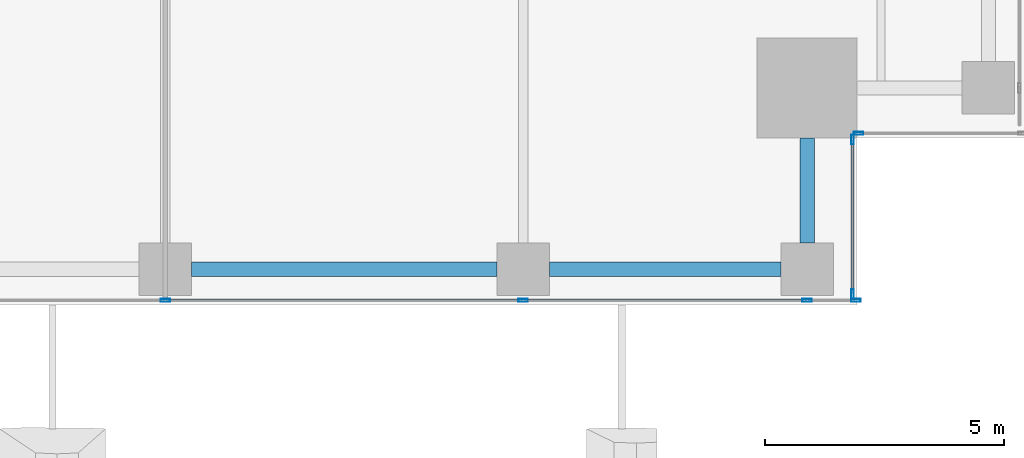
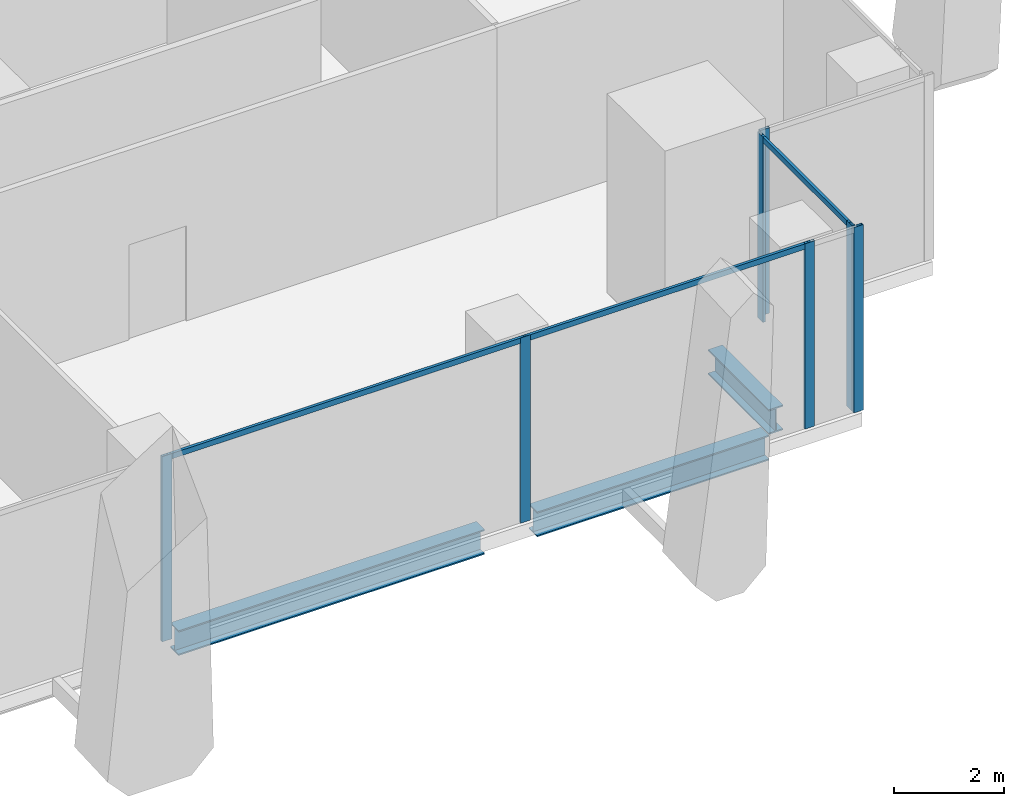
# One storey, part 9 of 35: 10 members, 3 beams, 3 elements without a shape of their own.
"""IFC4 building model written with IfcOpenShell, lengths in metres."""

from ifc_helpers import new_model, si_unit, direction, frame, origin, origin_2d, place, context, subcontext, project, spatial, hollow_rectangle, i_section, extrude, source, transform, mapped, material, material_profile, profile_set, type_object, element, aggregate, save


model = new_model("IFC4")

# Units and contexts
model_context = context("Model", 3, precision=1e-05, world=origin(), true_north=direction((0.0, 1.0)))
body_context = subcontext(model_context, "Body", "Model", "MODEL_VIEW")
ifc_project = project(units=[si_unit("LENGTHUNIT", "METRE"), si_unit("AREAUNIT", "SQUARE_METRE"), si_unit("VOLUMEUNIT", "CUBIC_METRE"), si_unit("PLANEANGLEUNIT", "RADIAN"), si_unit("MASSUNIT", "GRAM", prefix="KILO")], contexts=[model_context])

# Site, building, storey
site_placement = place(None, origin())
site = spatial("IfcSite", under=ifc_project, at=site_placement, CompositionType="ELEMENT")
building_placement = place(site_placement, origin())
building = spatial("IfcBuilding", under=site, at=building_placement, Name="Khomas Fold Tower", CompositionType="ELEMENT")
storey_placement = place(building_placement, frame((0.0, 0.0, 136.699951171875)))
storey = spatial("IfcBuildingStorey", under=building, at=storey_placement, Name="L29", CompositionType="ELEMENT", Elevation=136.699951171875)

# Beams
ifc_material_1 = material(Name="Steel S355", Category="steel")
ifc_material_profile_1 = material_profile(ifc_material_1, i_section(OverallWidth=0.300048828125, OverallDepth=0.550048828125, WebThickness=0.014892578125, FlangeThickness=0.029052734375, at=origin_2d()), Name="HE 550 B")
ifc_profile_set_1 = profile_set([ifc_material_profile_1], Name="Steel S355")
beam_type = type_object("IfcBeamType", Name="HE 550 B spandrel SB2", PredefinedType="SPANDREL", material=ifc_profile_set_1)
shared_shape_1 = source(origin(), body_context, "Body", "SweptSolid", [
    extrude(i_section(OverallWidth=0.300048828125, OverallDepth=0.550048828125, WebThickness=0.014892578125, FlangeThickness=0.029052734375, at=origin_2d()), origin(), (0.0, 0.0, 1.0), 4.849853515625),
])
beam_1_placement = place(storey_placement, frame((42.550048828125, 2.25, -0.574951171875), z_axis=(1.0, 0.0, 0.0), x_axis=(0.0, 1.0, 0.0)))
element("IfcBeam", 1, at=beam_1_placement, inside=storey, type_object=beam_type, Name="SB2", PredefinedType="SPANDREL", context=body_context, shape_type="MappedRepresentation", body=[
    mapped(shared_shape_1, transform((0.0, 0.0, 0.0))),
])
shared_shape_2 = source(origin(), body_context, "Body", "SweptSolid", [
    extrude(i_section(OverallWidth=0.300048828125, OverallDepth=0.550048828125, WebThickness=0.014892578125, FlangeThickness=0.029052734375, at=origin_2d()), origin(), (0.0, 0.0, 1.0), 6.39990234375),
])
beam_2_placement = place(storey_placement, frame((35.050048828125, 2.25, -0.574951171875), z_axis=(1.0, 0.0, 0.0), x_axis=(0.0, 1.0, 0.0)))
element("IfcBeam", 2, at=beam_2_placement, inside=storey, type_object=beam_type, Name="SB2", PredefinedType="SPANDREL", context=body_context, shape_type="MappedRepresentation", body=[
    mapped(shared_shape_2, transform((0.0, 0.0, 0.0))),
])
shared_shape_3 = source(origin(), body_context, "Body", "SweptSolid", [
    extrude(i_section(OverallWidth=0.300048828125, OverallDepth=0.550048828125, WebThickness=0.014892578125, FlangeThickness=0.029052734375, at=origin_2d()), origin(), (0.0, 0.0, 1.0), 2.199951171875),
])
beam_3_placement = place(storey_placement, frame((47.949951171875, 2.800048828125, -0.574951171875), z_axis=(0.0, 1.0, 0.0), x_axis=(-1.0, 0.0, 0.0)))
element("IfcBeam", 3, at=beam_3_placement, inside=storey, type_object=beam_type, Name="SB2", PredefinedType="SPANDREL", context=body_context, shape_type="MappedRepresentation", body=[
    mapped(shared_shape_3, transform((0.0, 0.0, 0.0))),
])

# Curtain wall, members
ifc_material_2 = material(Name="Aluminium framed double glazing", Category="aluminium")
curtain_wall_type = type_object("IfcCurtainWallType", Name="SK-Unitised clear-glass wall, growing floors CW1", PredefinedType="NOTDEFINED", material=ifc_material_2)
curtain_wall_1_placement = place(storey_placement, origin())
curtain_wall_1 = element("IfcCurtainWall", 4, at=curtain_wall_1_placement, inside=storey, type_object=curtain_wall_type, Name="CW1 run L29 00-0", PredefinedType="NOTDEFINED")
ifc_material_3 = material(Name="Aluminium", Category="aluminium")
ifc_material_profile_2 = material_profile(ifc_material_3, hollow_rectangle(XDim=0.06005859375, YDim=0.1201171875, WallThickness=0.00390625, at=origin_2d()), Name="SK-Unitised clear-glass wall, growing floors transom CW1-T")
ifc_profile_set_2 = profile_set([ifc_material_profile_2], Name="Aluminium")
member_type_1 = type_object("IfcMemberType", Name="SK-Unitised clear-glass wall, growing floors transom CW1-T", PredefinedType="USERDEFINED", material=ifc_profile_set_2)
shared_shape_4 = source(origin(), body_context, "Body", "SweptSolid", [
    extrude(hollow_rectangle(XDim=0.06005859375, YDim=0.1201171875, WallThickness=0.00390625, at=origin_2d()), origin(), (0.0, 0.0, 1.0), 7.43994140625),
])
member_1_placement = place(storey_placement, frame((34.530029296875, 1.60009765625, 4.0400390625), z_axis=(1.0, 0.0, 0.0), x_axis=(0.0, 1.0, 0.0)))
member_1 = element("IfcMember", 5, at=member_1_placement, type_object=member_type_1, Name="CW1 transom 6", ObjectType="TRANSOM", PredefinedType="USERDEFINED", context=body_context, shape_type="MappedRepresentation", body=[
    mapped(shared_shape_4, transform((0.0, 0.0, 0.0))),
])
ifc_material_4 = material(Name="Aluminium", Category="aluminium")
ifc_material_profile_3 = material_profile(ifc_material_4, hollow_rectangle(XDim=0.06005859375, YDim=0.199951171875, WallThickness=0.00390625, at=origin_2d()), Name="SK-Unitised clear-glass wall, growing floors mullion CW1-M")
ifc_profile_set_3 = profile_set([ifc_material_profile_3], Name="Aluminium")
member_type_2 = type_object("IfcMemberType", Name="SK-Unitised clear-glass wall, growing floors mullion CW1-M", PredefinedType="MULLION", material=ifc_profile_set_3)
shared_shape_5 = source(origin(), body_context, "Body", "SweptSolid", [
    extrude(hollow_rectangle(XDim=0.06005859375, YDim=0.199951171875, WallThickness=0.00390625, at=origin_2d()), origin(), (0.0, 0.0, 1.0), 4.10009765625),
])
member_2_placement = place(storey_placement, frame((34.5, 1.60009765625, 0.0), z_axis=(0.0, 0.0, 1.0), x_axis=(0.0, 1.0, 0.0)))
member_2 = element("IfcMember", 6, at=member_2_placement, type_object=member_type_2, Name="CW1 mullion 6", PredefinedType="MULLION", context=body_context, shape_type="MappedRepresentation", body=[
    mapped(shared_shape_5, transform((0.0, 0.0, 0.0))),
])
member_3_placement = place(storey_placement, frame((42.0, 1.60009765625, 0.0), z_axis=(0.0, 0.0, 1.0), x_axis=(0.0, 1.0, 0.0)))
member_3 = element("IfcMember", 7, at=member_3_placement, type_object=member_type_2, Name="CW1 mullion 7", PredefinedType="MULLION", context=body_context, shape_type="MappedRepresentation", body=[
    mapped(shared_shape_5, transform((0.0, 0.0, 0.0))),
])
member_4_placement = place(storey_placement, frame((47.949951171875, 1.60009765625, 0.0), z_axis=(0.0, 0.0, 1.0), x_axis=(0.0, 1.0, 0.0)))
member_4 = element("IfcMember", 8, at=member_4_placement, type_object=member_type_2, Name="CW1 mullion 8", PredefinedType="MULLION", context=body_context, shape_type="MappedRepresentation", body=[
    mapped(shared_shape_5, transform((0.0, 0.0, 0.0))),
])
member_5_placement = place(storey_placement, frame((48.969970703125, 1.60009765625, 0.0), z_axis=(0.0, 0.0, 1.0), x_axis=(0.0, 1.0, 0.0)))
member_5 = element("IfcMember", 9, at=member_5_placement, type_object=member_type_2, Name="CW1 mullion 9", PredefinedType="MULLION", context=body_context, shape_type="MappedRepresentation", body=[
    mapped(shared_shape_5, transform((0.0, 0.0, 0.0))),
])

curtain_wall_2_placement = place(storey_placement, origin())
curtain_wall_2 = element("IfcCurtainWall", 10, at=curtain_wall_2_placement, inside=storey, type_object=curtain_wall_type, Name="CW1 corner return L29 01", PredefinedType="NOTDEFINED")
member_6_placement = place(storey_placement, frame((48.89990234375, 1.72998046875, 0.0), z_axis=(0.0, 0.0, 1.0), x_axis=(-1.0, 0.0, 0.0)))
member_6 = element("IfcMember", 11, at=member_6_placement, type_object=member_type_2, Name="CW1 mullion 1", PredefinedType="MULLION", context=body_context, shape_type="MappedRepresentation", body=[
    mapped(shared_shape_5, transform((0.0, 0.0, 0.0))),
])
member_7_placement = place(storey_placement, frame((48.89990234375, 4.969970703125, 0.0), z_axis=(0.0, 0.0, 1.0), x_axis=(-1.0, 0.0, 0.0)))
member_7 = element("IfcMember", 12, at=member_7_placement, type_object=member_type_2, Name="CW1 mullion 2", PredefinedType="MULLION", context=body_context, shape_type="MappedRepresentation", body=[
    mapped(shared_shape_5, transform((0.0, 0.0, 0.0))),
])

# Curtain wall, member
curtain_wall_3_placement = place(storey_placement, origin())
curtain_wall_3 = element("IfcCurtainWall", 13, at=curtain_wall_3_placement, inside=storey, type_object=curtain_wall_type, Name="CW1 corner return L29 02", PredefinedType="NOTDEFINED")
member_8_placement = place(storey_placement, frame((49.030029296875, 5.10009765625, 0.0), z_axis=(0.0, 0.0, 1.0), x_axis=(0.0, 1.0, 0.0)))
member_8 = element("IfcMember", 14, at=member_8_placement, type_object=member_type_2, Name="CW1 mullion 1", PredefinedType="MULLION", context=body_context, shape_type="MappedRepresentation", body=[
    mapped(shared_shape_5, transform((0.0, 0.0, 0.0))),
])
aggregate(curtain_wall_3, [member_8])

# Member
shared_shape_6 = source(origin(), body_context, "Body", "SweptSolid", [
    extrude(hollow_rectangle(XDim=0.06005859375, YDim=0.1201171875, WallThickness=0.00390625, at=origin_2d()), origin(), (0.0, 0.0, 1.0), 5.889892578125),
])
member_9_placement = place(storey_placement, frame((42.030029296875, 1.60009765625, 4.0400390625), z_axis=(1.0, 0.0, 0.0), x_axis=(0.0, 1.0, 0.0)))
member_9 = element("IfcMember", 15, at=member_9_placement, type_object=member_type_1, Name="CW1 transom 7", ObjectType="TRANSOM", PredefinedType="USERDEFINED", context=body_context, shape_type="MappedRepresentation", body=[
    mapped(shared_shape_6, transform((0.0, 0.0, 0.0))),
])

aggregate(curtain_wall_1, [member_2, member_3, member_4, member_5, member_1, member_9])

shared_shape_7 = source(origin(), body_context, "Body", "SweptSolid", [
    extrude(hollow_rectangle(XDim=0.06005859375, YDim=0.1201171875, WallThickness=0.00390625, at=origin_2d()), origin(), (0.0, 0.0, 1.0), 3.179931640625),
])
member_10_placement = place(storey_placement, frame((48.89990234375, 1.760009765625, 4.0400390625), z_axis=(0.0, 1.0, 0.0), x_axis=(-1.0, 0.0, 0.0)))
member_10 = element("IfcMember", 16, at=member_10_placement, type_object=member_type_1, Name="CW1 transom 1", ObjectType="TRANSOM", PredefinedType="USERDEFINED", context=body_context, shape_type="MappedRepresentation", body=[
    mapped(shared_shape_7, transform((0.0, 0.0, 0.0))),
])

aggregate(curtain_wall_2, [member_6, member_7, member_10])

save(model, "model.ifc")
